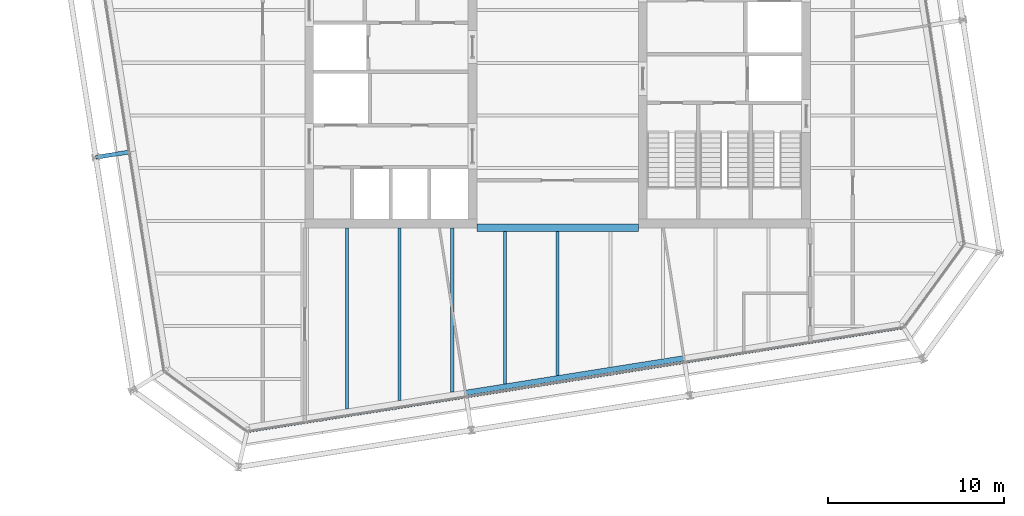
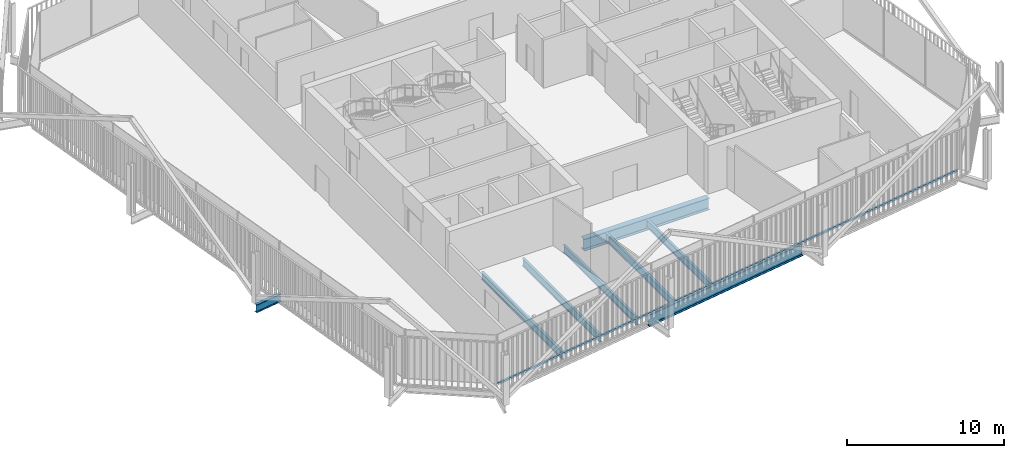
# One storey, part 4 of 21: 8 beams, 1 member, 1 element without a shape of its own.
"""IFC4 building model written with IfcOpenShell, lengths in metres."""

import ifcopenshell
import ifcopenshell.guid

model = None  # the IFC model being written
_history = None  # IfcOwnerHistory: only IFC2X3 demands one
_inside = {}  # id of a spatial element -> (the spatial element, [elements in it])
_under = {}  # id of a project, library or spatial element -> (it, [spatial elements below it])
_declared = {}  # id of a project -> (the project, [libraries it declares])
_typed = {}  # id of a type object -> (the type object, [elements of that type])
_made_of = {}  # id of a material, layer set ... -> (it, [elements and type objects made of it])


def new_model(schema):
    """Start an empty IFC model of exactly this schema.

    Asked for "IFC4X3", IfcOpenShell would pick the latest addendum, in which some entities
    have other attributes; the version numbers below select the first issue.
    IFC2X3 requires an IfcOwnerHistory on every rooted entity: one is made here for all.
    """
    global model, _history
    if schema == "IFC4X3":
        model = ifcopenshell.file(schema_version=(4, 3, 0, 0))
    else:
        model = ifcopenshell.file(schema=schema)
    _inside.clear()
    _under.clear()
    _declared.clear()
    _typed.clear()
    _made_of.clear()
    _history = None
    if model.schema == "IFC2X3":
        org = make("IfcOrganization", Name="unknown")
        user = make(
            "IfcPersonAndOrganization",
            ThePerson=make("IfcPerson", FamilyName="unknown"),
            TheOrganization=org,
        )
        app = make(
            "IfcApplication",
            ApplicationDeveloper=org,
            Version="unknown",
            ApplicationFullName="unknown",
            ApplicationIdentifier="unknown",
        )
        _history = make(
            "IfcOwnerHistory",
            OwningUser=user,
            OwningApplication=app,
            ChangeAction="ADDED",
            CreationDate=0,
        )
    return model


def make(cls, **values):
    """One entity of the class cls with the attributes given. An attribute that is None is left unset."""
    return model.create_entity(
        cls, **{name: value for name, value in values.items() if value is not None}
    )


def rooted(cls, **values):
    """An entity with a GlobalId (a new one), such as an element, a storey or a relation."""
    return make(cls, GlobalId=ifcopenshell.guid.new(), OwnerHistory=_history, **values)


def si_unit(unit_type, name, prefix=None):
    """IfcSIUnit, for example si_unit("LENGTHUNIT", "METRE", prefix="MILLI")."""
    return make("IfcSIUnit", UnitType=unit_type, Prefix=prefix, Name=name)


def assignment(units):
    """IfcUnitAssignment: the units of a project."""
    return None if units is None else make("IfcUnitAssignment", Units=units)


def point(xyz):
    """IfcCartesianPoint."""
    return None if xyz is None else make("IfcCartesianPoint", Coordinates=xyz)


def direction(xyz):
    """IfcDirection."""
    return None if xyz is None else make("IfcDirection", DirectionRatios=xyz)


def frame(location, z_axis=None, x_axis=None):
    """IfcAxis2Placement3D, a coordinate frame: its origin and axes. An axis left out is left unset."""
    return make(
        "IfcAxis2Placement3D",
        Location=point(location),
        Axis=direction(z_axis),
        RefDirection=direction(x_axis),
    )


def frame_2d(location, x_axis=None):
    """IfcAxis2Placement2D, a coordinate frame in the plane: its origin and x axis."""
    return make(
        "IfcAxis2Placement2D", Location=point(location), RefDirection=direction(x_axis)
    )


def origin():
    """The frame at (0, 0, 0) with its axes left unset."""
    return frame((0.0, 0.0, 0.0))


def origin_2d():
    """The frame at (0, 0) in the plane with its x axis left unset."""
    return frame_2d((0.0, 0.0))


def place(relative_to, where):
    """IfcLocalPlacement: puts the frame where relative to a parent placement (None: the world)."""
    return make(
        "IfcLocalPlacement", PlacementRelTo=relative_to, RelativePlacement=where
    )


def context(
    kind, dimensions, precision=None, world=None, true_north=None, identifier=None
):
    """IfcGeometricRepresentationContext, for example the 3D "Model" context."""
    return make(
        "IfcGeometricRepresentationContext",
        ContextIdentifier=identifier,
        ContextType=kind,
        CoordinateSpaceDimension=dimensions,
        Precision=precision,
        WorldCoordinateSystem=world,
        TrueNorth=true_north,
    )


def subcontext(parent, identifier, kind, view, scale=None):
    """IfcGeometricRepresentationSubContext, for example "Body" below "Model"."""
    return make(
        "IfcGeometricRepresentationSubContext",
        ContextIdentifier=identifier,
        ContextType=kind,
        ParentContext=parent,
        TargetScale=scale,
        TargetView=view,
    )


def project(units=None, contexts=None):
    """IfcProject with its units and contexts."""
    return rooted(
        "IfcProject",
        Name="project",
        RepresentationContexts=contexts,
        UnitsInContext=assignment(units),
    )


def spatial(cls, under=None, at=None, **own):
    """A site, building, storey or space (cls), placed at a placement, below another one or the project."""
    s = rooted(cls, ObjectPlacement=at, **own)
    if under is not None:
        _under.setdefault(under.id(), (under, []))[1].append(s)
    return s


def profile(cls, at=None, kind="AREA", **sizes):
    """A parametric profile (cls). Its sizes go by their IFC names, for example OverallWidth=200.0."""
    return make(cls, ProfileType=kind, Position=at, **sizes)


def rectangle(**sizes):
    """IfcRectangleProfileDef."""
    return profile("IfcRectangleProfileDef", **sizes)


def i_section(**sizes):
    """IfcIShapeProfileDef."""
    return profile("IfcIShapeProfileDef", **sizes)


def extrude(swept, where, along, depth):
    """IfcExtrudedAreaSolid: the profile swept, set in the frame where, extruded along a direction by depth."""
    return make(
        "IfcExtrudedAreaSolid",
        SweptArea=swept,
        Position=where,
        ExtrudedDirection=direction(along),
        Depth=depth,
    )


def shape(context_of_items, identifier, shape_type, items):
    """IfcShapeRepresentation: the items that make up one representation, for example the "Body"."""
    return make(
        "IfcShapeRepresentation",
        ContextOfItems=context_of_items,
        RepresentationIdentifier=identifier,
        RepresentationType=shape_type,
        Items=items,
    )


def material(Name=None, Category=None):
    """IfcMaterial."""
    return make("IfcMaterial", Name=Name, Category=Category)


def layer(
    of_material, thickness, ventilated=None, Name=None, Category=None, Priority=None
):
    """IfcMaterialLayer: one layer of a wall or slab, of a material (None: an air gap)."""
    return make(
        "IfcMaterialLayer",
        Material=of_material,
        LayerThickness=thickness,
        IsVentilated=ventilated,
        Name=Name,
        Category=Category,
        Priority=Priority,
    )


def layer_set(layers, Name=None):
    """IfcMaterialLayerSet."""
    return make("IfcMaterialLayerSet", MaterialLayers=layers, LayerSetName=Name)


def material_profile(
    of_material, cross_section, Name=None, Category=None, Priority=None
):
    """IfcMaterialProfile: a cross section and its material."""
    return make(
        "IfcMaterialProfile",
        Name=Name,
        Material=of_material,
        Profile=cross_section,
        Priority=Priority,
        Category=Category,
    )


def profile_set(profiles, Name=None, composite=None):
    """IfcMaterialProfileSet."""
    return make(
        "IfcMaterialProfileSet",
        Name=Name,
        MaterialProfiles=profiles,
        CompositeProfile=composite,
    )


def made_of(thing, what):
    """Note that an element or type object is made of a material, layer set ...; save() writes the relation."""
    if what is not None:
        _made_of.setdefault(what.id(), (what, []))[1].append(thing)
    return thing


def type_object(cls, material=None, **own):
    """A type object (cls), such as IfcWallType, which elements share."""
    return made_of(rooted(cls, **own), material)


def element(
    cls,
    number,
    at=None,
    inside=None,
    cuts=None,
    type_object=None,
    material=None,
    context=None,
    identifier="Body",
    shape_type=None,
    held_by="IfcProductDefinitionShape",
    body=None,
    shapes=None,
    **own,
):
    """One element of the class cls, such as IfcWall. Its Tag is "e" and its number.

    at: its placement. inside: the storey or other place that contains it. cuts: it is an
    opening in that element (IfcRelVoidsElement). A single representation is given by context,
    identifier, shape_type and body (its items); several are given by shapes. held_by: the class
    of the entity that holds the representations. save() writes the other relations.
    """
    e = rooted(cls, Tag="e%d" % number, ObjectPlacement=at, **own)
    if body is not None:
        shapes = [shape(context, identifier, shape_type, body)]
    if shapes is not None:
        e.Representation = make(held_by, Representations=shapes)
    if inside is not None:
        _inside.setdefault(inside.id(), (inside, []))[1].append(e)
    if cuts is not None:
        rooted(
            "IfcRelVoidsElement", RelatingBuildingElement=cuts, RelatedOpeningElement=e
        )
    if type_object is not None:
        _typed.setdefault(type_object.id(), (type_object, []))[1].append(e)
    return made_of(e, material)


def aggregate(whole, parts):
    """IfcRelAggregates: a whole, such as a stair, and the parts it consists of."""
    return rooted("IfcRelAggregates", RelatingObject=whole, RelatedObjects=parts)


def save(model, path):
    """Write the relations noted so far, then the file.

    IfcRelAggregates (storeys below a building ...), IfcRelContainedInSpatialStructure (elements
    in a storey), IfcRelDefinesByType, IfcRelAssociatesMaterial and IfcRelDeclares: one each for
    every whole, place, type object, material and project.
    """
    for whole, parts in _under.values():
        aggregate(whole, parts)
    for where, things in _inside.values():
        rooted(
            "IfcRelContainedInSpatialStructure",
            RelatedElements=things,
            RelatingStructure=where,
        )
    for kind, things in _typed.values():
        rooted("IfcRelDefinesByType", RelatedObjects=things, RelatingType=kind)
    for what, things in _made_of.values():
        rooted("IfcRelAssociatesMaterial", RelatedObjects=things, RelatingMaterial=what)
    for by, libraries in _declared.values():
        rooted("IfcRelDeclares", RelatingContext=by, RelatedDefinitions=libraries)
    model.write(path)


model = new_model("IFC4")

# Units and contexts
model_context = context("Model", 3, precision=1e-05, world=origin(), true_north=direction((0.0, 1.0)))
body_context = subcontext(model_context, "Body", "Model", "MODEL_VIEW")
ifc_project = project(units=[si_unit("LENGTHUNIT", "METRE"), si_unit("AREAUNIT", "SQUARE_METRE"), si_unit("VOLUMEUNIT", "CUBIC_METRE"), si_unit("PLANEANGLEUNIT", "RADIAN"), si_unit("MASSUNIT", "GRAM", prefix="KILO")], contexts=[model_context])

# Site, building, storey
site_placement = place(None, origin())
site = spatial("IfcSite", under=ifc_project, at=site_placement, CompositionType="ELEMENT")
building_placement = place(site_placement, origin())
building = spatial("IfcBuilding", under=site, at=building_placement, Name="Millrace Tower", CompositionType="ELEMENT")
storey_placement = place(building_placement, frame((0.0, 0.0, 228.10009765625)))
storey = spatial("IfcBuildingStorey", under=building, at=storey_placement, Name="L52", CompositionType="ELEMENT", Elevation=228.10009765625)

# Curtain wall, member
ifc_material_1 = material(Name="Aluminium and glass", Category="aluminium")
ifc_layer = layer(ifc_material_1, 0.14990234375)
ifc_layer_set = layer_set([ifc_layer], Name="Aluminium and glass")
curtain_wall_type = type_object("IfcCurtainWallType", Name="CW-1 office vision curtain wall", PredefinedType="NOTDEFINED", material=ifc_layer_set)
curtain_wall_placement = place(storey_placement, origin())
curtain_wall = element("IfcCurtainWall", 1, at=curtain_wall_placement, inside=storey, type_object=curtain_wall_type, Name="Curtain wall D-F02 L52", PredefinedType="NOTDEFINED")
ifc_material_2 = material(Name="Aluminium", Category="aluminium")
ifc_material_profile_1 = material_profile(ifc_material_2, rectangle(XDim=0.14990234375, YDim=0.139892578125, at=origin_2d()))
ifc_profile_set_1 = profile_set([ifc_material_profile_1], Name="Aluminium")
member_type = type_object("IfcMemberType", Name="CW-1 office vision curtain wall transom", PredefinedType="USERDEFINED", material=ifc_profile_set_1)
member_placement = place(storey_placement, frame((-17.558837890625, -20.98193359375, 0.06982421875), z_axis=(0.987687829698, 0.156437690685, 0.0), x_axis=(-0.156437690685, 0.987687829698, 0.0)))
member = element("IfcMember", 2, at=member_placement, type_object=member_type, Name="CW1 transom D-F02.1", ObjectType="TRANSOM", PredefinedType="USERDEFINED", context=body_context, shape_type="SweptSolid", body=[
    extrude(rectangle(XDim=0.14990234375, YDim=0.139892578125, at=origin_2d()), origin(), (0.0, 0.0, 1.0), 37.60009765625),
])
aggregate(curtain_wall, [member])

# Beams
ifc_material_3 = material(Name="Steel ASTM A992 Grade 50", Category="steel")
ifc_material_profile_2 = material_profile(ifc_material_3, i_section(OverallWidth=0.177978515625, OverallDepth=0.599365234375, WebThickness=0.010009765625, FlangeThickness=0.012939453125, FilletRadius=0.012939453125, at=origin_2d()))
ifc_profile_set_2 = profile_set([ifc_material_profile_2], Name="Steel ASTM A992 Grade 50")
beam_type_1 = type_object("IfcBeamType", Name="Floor beam W24x55", PredefinedType="JOIST", material=ifc_profile_set_2)
beam_1_placement = place(storey_placement, frame((-9.0, -19.2392578125, -0.459716796875), z_axis=(0.0, 1.0, 0.0), x_axis=(-1.0, 0.0, 0.0)))
element("IfcBeam", 3, at=beam_1_placement, inside=storey, type_object=beam_type_1, Name="BM-D-L52-S1-S039", PredefinedType="JOIST", context=body_context, shape_type="SweptSolid", body=[
    extrude(i_section(OverallWidth=0.177978515625, OverallDepth=0.599365234375, WebThickness=0.010009765625, FlangeThickness=0.012939453125, FilletRadius=0.012939453125, at=origin_2d()), origin(), (0.0, 0.0, 1.0), 9.83935546875),
])
beam_2_placement = place(storey_placement, frame((-6.0, -18.763916015625, -0.459716796875), z_axis=(0.0, 1.0, 0.0), x_axis=(-1.0, 0.0, 0.0)))
element("IfcBeam", 4, at=beam_2_placement, inside=storey, type_object=beam_type_1, Name="BM-D-L52-S1-S041", PredefinedType="JOIST", context=body_context, shape_type="SweptSolid", body=[
    extrude(i_section(OverallWidth=0.177978515625, OverallDepth=0.599365234375, WebThickness=0.010009765625, FlangeThickness=0.012939453125, FilletRadius=0.012939453125, at=origin_2d()), origin(), (0.0, 0.0, 1.0), 9.364013671875),
])
beam_3_placement = place(storey_placement, frame((-3.0, -18.288818359375, -0.459716796875), z_axis=(0.0, 1.0, 0.0), x_axis=(-1.0, 0.0, 0.0)))
element("IfcBeam", 5, at=beam_3_placement, inside=storey, type_object=beam_type_1, Name="BM-D-L52-S1-S043", PredefinedType="JOIST", context=body_context, shape_type="SweptSolid", body=[
    extrude(i_section(OverallWidth=0.177978515625, OverallDepth=0.599365234375, WebThickness=0.010009765625, FlangeThickness=0.012939453125, FilletRadius=0.012939453125, at=origin_2d()), origin(), (0.0, 0.0, 1.0), 8.67919921875),
])
beam_4_placement = place(storey_placement, frame((0.0, -17.813720703125, -0.459716796875), z_axis=(0.0, 1.0, 0.0), x_axis=(-1.0, 0.0, 0.0)))
element("IfcBeam", 6, at=beam_4_placement, inside=storey, type_object=beam_type_1, Name="BM-D-L52-S1-S045", PredefinedType="JOIST", context=body_context, shape_type="SweptSolid", body=[
    extrude(i_section(OverallWidth=0.177978515625, OverallDepth=0.599365234375, WebThickness=0.010009765625, FlangeThickness=0.012939453125, FilletRadius=0.012939453125, at=origin_2d()), origin(), (0.0, 0.0, 1.0), 8.2041015625),
])
ifc_material_4 = material(Name="Steel ASTM A992 Grade 50", Category="steel")
ifc_material_profile_3 = material_profile(ifc_material_4, i_section(OverallWidth=0.1787109375, OverallDepth=0.60205078125, WebThickness=0.010986328125, FlangeThickness=0.014892578125, FilletRadius=0.0126953125, at=origin_2d()))
ifc_profile_set_3 = profile_set([ifc_material_profile_3], Name="Steel ASTM A992 Grade 50")
beam_type_2 = type_object("IfcBeamType", Name="Floor beam W24x62", PredefinedType="JOIST", material=ifc_profile_set_3)
beam_5_placement = place(storey_placement, frame((-12.0, -19.71435546875, -0.461181640625), z_axis=(0.0, 1.0, 0.0), x_axis=(-1.0, 0.0, 0.0)))
element("IfcBeam", 7, at=beam_5_placement, inside=storey, type_object=beam_type_2, Name="BM-D-L52-S1-S037", PredefinedType="JOIST", context=body_context, shape_type="SweptSolid", body=[
    extrude(i_section(OverallWidth=0.1787109375, OverallDepth=0.60205078125, WebThickness=0.010986328125, FlangeThickness=0.014892578125, FilletRadius=0.0126953125, at=origin_2d()), origin(), (0.0, 0.0, 1.0), 10.314453125),
])
ifc_material_5 = material(Name="Steel ASTM A992 Grade 50", Category="steel")
ifc_material_profile_4 = material_profile(ifc_material_5, i_section(OverallWidth=0.419189453125, OverallDepth=0.927001953125, WebThickness=0.019287109375, FlangeThickness=0.031982421875, FilletRadius=0.024169921875, at=origin_2d()))
ifc_profile_set_4 = profile_set([ifc_material_profile_4], Name="Steel ASTM A992 Grade 50")
beam_type_3 = type_object("IfcBeamType", Name="Girder short span W36x231", PredefinedType="BEAM", material=ifc_profile_set_4)
beam_6_placement = place(storey_placement, frame((-4.60009765625, -9.39990234375, -0.62353515625), z_axis=(1.0, 0.0, 0.0), x_axis=(0.0, 1.0, 0.0)))
element("IfcBeam", 8, at=beam_6_placement, inside=storey, type_object=beam_type_3, Name="BM-D-L52-S1-G059", PredefinedType="BEAM", context=body_context, shape_type="SweptSolid", body=[
    extrude(i_section(OverallWidth=0.419189453125, OverallDepth=0.927001953125, WebThickness=0.019287109375, FlangeThickness=0.031982421875, FilletRadius=0.024169921875, at=origin_2d()), origin(), (0.0, 0.0, 1.0), 9.2001953125),
])
ifc_material_6 = material(Name="Steel ASTM A992 Grade 50", Category="steel")
ifc_material_profile_5 = material_profile(ifc_material_6, i_section(OverallWidth=0.23046875, OverallDepth=0.6171875, WebThickness=0.01318359375, FlangeThickness=0.022216796875, FilletRadius=0.012939453125, at=origin_2d()))
ifc_profile_set_5 = profile_set([ifc_material_profile_5], Name="Steel ASTM A992 Grade 50")
beam_type_4 = type_object("IfcBeamType", Name="Link beam W24x94", PredefinedType="BEAM", material=ifc_profile_set_5)
beam_7_placement = place(storey_placement, frame((-24.331298828125, -5.0703125, -0.46875), z_axis=(-0.987678691416, -0.156495375404, 0.0), x_axis=(0.156495375404, -0.987678691416, 0.0)))
element("IfcBeam", 9, at=beam_7_placement, inside=storey, type_object=beam_type_4, Name="LNK-D-L52-S1-02", PredefinedType="BEAM", context=body_context, shape_type="SweptSolid", body=[
    extrude(i_section(OverallWidth=0.23046875, OverallDepth=0.6171875, WebThickness=0.01318359375, FlangeThickness=0.022216796875, FilletRadius=0.012939453125, at=origin_2d()), origin(), (0.0, 0.0, 1.0), 2.0),
])
ifc_material_7 = material(Name="Steel ASTM A992 Grade 50", Category="steel")
ifc_material_profile_6 = material_profile(ifc_material_7, i_section(OverallWidth=0.307373046875, OverallDepth=0.927001953125, WebThickness=0.01953125, FlangeThickness=0.031982421875, FilletRadius=0.01904296875, at=origin_2d()))
ifc_profile_set_6 = profile_set([ifc_material_profile_6], Name="Steel ASTM A992 Grade 50")
beam_type_5 = type_object("IfcBeamType", Name="Ring beam medium span W36x194", PredefinedType="SPANDREL", material=ifc_profile_set_6)
beam_8_placement = place(storey_placement, frame((7.1962890625, -16.82958984375, -0.62353515625), z_axis=(-0.987689802912, -0.156425232058, 0.0), x_axis=(0.156425232058, -0.987689802912, 0.0)))
element("IfcBeam", 10, at=beam_8_placement, inside=storey, type_object=beam_type_5, Name="RNG-D-L52-S1-14", PredefinedType="SPANDREL", context=body_context, shape_type="SweptSolid", body=[
    extrude(i_section(OverallWidth=0.307373046875, OverallDepth=0.927001953125, WebThickness=0.01953125, FlangeThickness=0.031982421875, FilletRadius=0.01904296875, at=origin_2d()), origin(), (0.0, 0.0, 1.0), 12.599853515625),
])

save(model, "model.ifc")
